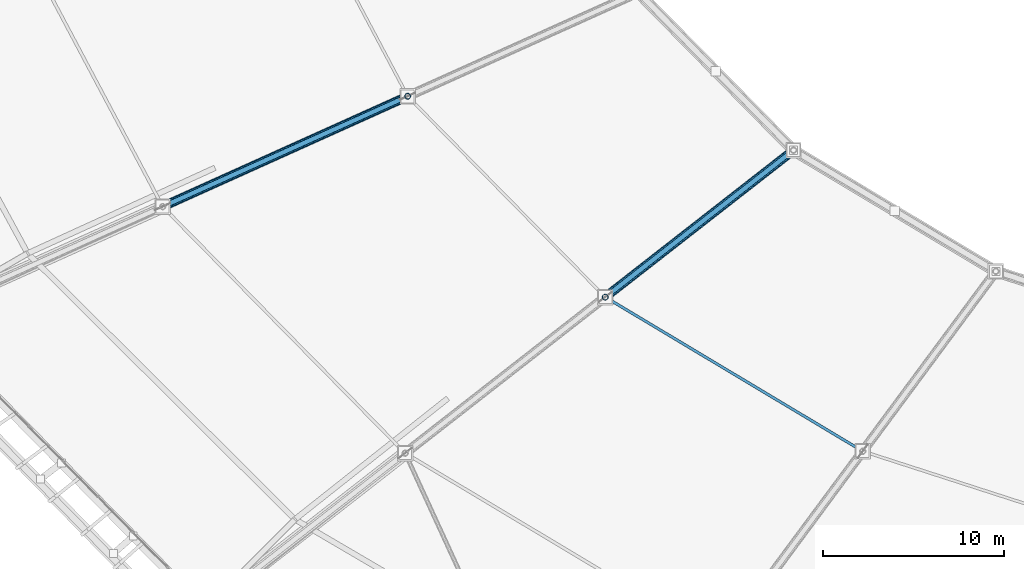
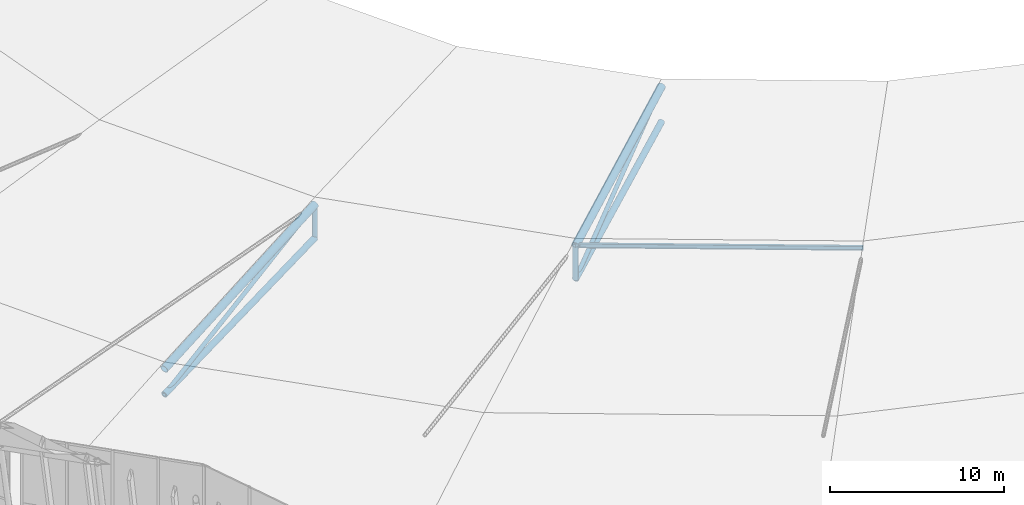
# One storey, part 10 of 115: 9 members.
"""IFC4 building model written with IfcOpenShell, lengths in metres."""

from ifc_helpers import new_model, si_unit, direction, frame, origin, origin_2d, place, context, subcontext, project, spatial, hollow_circle, i_section, extrude, material, material_profile, profile_set, type_object, element, save


model = new_model("IFC4")

# Units and contexts
model_context = context("Model", 3, precision=1e-05, world=origin(), true_north=direction((0.0, 1.0)))
body_context = subcontext(model_context, "Body", "Model", "MODEL_VIEW")
ifc_project = project(units=[si_unit("LENGTHUNIT", "METRE"), si_unit("AREAUNIT", "SQUARE_METRE"), si_unit("VOLUMEUNIT", "CUBIC_METRE"), si_unit("PLANEANGLEUNIT", "RADIAN"), si_unit("MASSUNIT", "GRAM", prefix="KILO")], contexts=[model_context])

# Site, building, storey
site_placement = place(None, origin())
site = spatial("IfcSite", under=ifc_project, at=site_placement, CompositionType="ELEMENT")
building_placement = place(site_placement, origin())
building = spatial("IfcBuilding", under=site, at=building_placement, Name="Zlatoyarsky Gate Stadium", CompositionType="ELEMENT")
storey_placement = place(building_placement, frame((0.0, 0.0, 31.800048828125)))
storey = spatial("IfcBuildingStorey", under=building, at=storey_placement, Name="RF", CompositionType="ELEMENT", Elevation=31.800048828125)

# Members
ifc_material = material(Name="Steel S355", Category="steel")
ifc_material_profile_1 = material_profile(ifc_material, hollow_circle(Radius=0.203125, WallThickness=0.02001953125, at=origin_2d()), Name="CHS 406.4X20")
ifc_profile_set_1 = profile_set([ifc_material_profile_1], Name="Steel S355")
member_type_1 = type_object("IfcMemberType", Name="STEEL ARCH INNER CHORD CHS 406.4X20", PredefinedType="CHORD", material=ifc_profile_set_1)
member_1_placement = place(storey_placement, frame((37.921875, 47.087890625, 1.349853515625), z_axis=(0.898147365371, 0.404501335329, 0.172365831283), x_axis=(-0.410647494478, 0.911794184714, 0.0)))
element("IfcMember", 1, at=member_1_placement, inside=storey, type_object=member_type_1, Name="Radial truss R15 bottom chord 2", PredefinedType="CHORD", context=body_context, shape_type="SweptSolid", body=[
    extrude(hollow_circle(Radius=0.203125, WallThickness=0.02001953125, at=origin_2d()), origin(), (0.0, 0.0, 1.0), 15.084716796875),
])
member_2_placement = place(storey_placement, frame((62.394287109375, 42.08447265625, 3.949951171875), z_axis=(0.774713357375, 0.604329101804, 0.186025671932), x_axis=(-0.615065134986, 0.788476302576, 0.0)))
element("IfcMember", 2, at=member_2_placement, inside=storey, type_object=member_type_1, Name="Radial truss R16 bottom chord 3", PredefinedType="CHORD", context=body_context, shape_type="SweptSolid", body=[
    extrude(hollow_circle(Radius=0.203125, WallThickness=0.02001953125, at=origin_2d()), origin(), (0.0, 0.0, 1.0), 13.43896484375),
])
ifc_material_profile_2 = material_profile(ifc_material, hollow_circle(Radius=0.25390625, WallThickness=0.02490234375, at=origin_2d()), Name="CHS 508X25")
ifc_profile_set_2 = profile_set([ifc_material_profile_2], Name="Steel S355")
member_type_2 = type_object("IfcMemberType", Name="STEEL ARCH TOP CHORD CHS 508X25", PredefinedType="CHORD", material=ifc_profile_set_2)
member_3_placement = place(storey_placement, frame((37.921875, 47.087890625, 3.14990234375), z_axis=(0.891969630236, 0.40171905014, 0.207393306284), x_axis=(-0.410647494478, 0.911794184714, 0.0)))
element("IfcMember", 3, at=member_3_placement, inside=storey, type_object=member_type_2, Name="Radial truss R15 top chord 2", PredefinedType="CHORD", context=body_context, shape_type="SweptSolid", body=[
    extrude(hollow_circle(Radius=0.25390625, WallThickness=0.02490234375, at=origin_2d()), origin(), (0.0, 0.0, 1.0), 15.189208984375),
])
member_4_placement = place(storey_placement, frame((62.394287109375, 42.08447265625, 6.300048828125), z_axis=(0.773062936618, 0.60304166138, 0.196759880738), x_axis=(-0.615065134986, 0.788476302576, 0.0)))
element("IfcMember", 4, at=member_4_placement, inside=storey, type_object=member_type_2, Name="Radial truss R16 top chord 3", PredefinedType="CHORD", context=body_context, shape_type="SweptSolid", body=[
    extrude(hollow_circle(Radius=0.25390625, WallThickness=0.02490234375, at=origin_2d()), origin(), (0.0, 0.0, 1.0), 13.4677734375),
])
ifc_material_profile_3 = material_profile(ifc_material, i_section(OverallWidth=0.14990234375, OverallDepth=0.300048828125, WebThickness=0.007080078125, FlangeThickness=0.0107421875, FilletRadius=0.014892578125, at=origin_2d()), Name="IPE 300")
ifc_profile_set_3 = profile_set([ifc_material_profile_3], Name="Steel S355")
member_type_3 = type_object("IfcMemberType", Name="STEEL BOWL ROOF PURLIN IPE 300", PredefinedType="PURLIN", material=ifc_profile_set_3)
member_5_placement = place(storey_placement, frame((62.394287109375, 42.08447265625, 6.329833984375), z_axis=(0.858039046715, -0.513584456844, 0.0), x_axis=(0.513584456844, 0.858039046715, 0.0)))
element("IfcMember", 5, at=member_5_placement, inside=storey, type_object=member_type_3, Name="Stadium roof purlin 15.2", PredefinedType="PURLIN", context=body_context, shape_type="SweptSolid", body=[
    extrude(i_section(OverallWidth=0.14990234375, OverallDepth=0.300048828125, WebThickness=0.007080078125, FlangeThickness=0.0107421875, FilletRadius=0.014892578125, at=origin_2d()), origin(), (0.0, 0.0, 1.0), 16.591796875),
])
ifc_material_profile_4 = material_profile(ifc_material, hollow_circle(Radius=0.136474609375, WallThickness=0.01611328125, at=origin_2d()), Name="CHS 273X16")
ifc_profile_set_4 = profile_set([ifc_material_profile_4], Name="Steel S355")
member_type_4 = type_object("IfcMemberType", Name="STEEL ROOF TRUSS DIAGONAL CHS 273X16", PredefinedType="BRACE", material=ifc_profile_set_4)
member_6_placement = place(storey_placement, frame((37.921875, 47.087890625, 1.349853515625), z_axis=(0.865052822884, 0.389596446505, 0.316066800678), x_axis=(-0.410647494478, 0.911794184714, 0.0)))
element("IfcMember", 6, at=member_6_placement, inside=storey, type_object=member_type_4, Name="Radial truss R15 web diagonal 2", PredefinedType="BRACE", context=body_context, shape_type="SweptSolid", body=[
    extrude(hollow_circle(Radius=0.136474609375, WallThickness=0.01611328125, at=origin_2d()), origin(), (0.0, 0.0, 1.0), 15.661865234375),
])
member_7_placement = place(storey_placement, frame((62.394287109375, 42.08447265625, 3.949951171875), z_axis=(0.737382070164, 0.575208159129, 0.354123221877), x_axis=(-0.615065134986, 0.788476302576, 0.0)))
element("IfcMember", 7, at=member_7_placement, inside=storey, type_object=member_type_4, Name="Radial truss R16 web diagonal 3", PredefinedType="BRACE", context=body_context, shape_type="SweptSolid", body=[
    extrude(hollow_circle(Radius=0.136474609375, WallThickness=0.01611328125, at=origin_2d()), origin(), (0.0, 0.0, 1.0), 14.119384765625),
])
ifc_material_profile_5 = material_profile(ifc_material, hollow_circle(Radius=0.161865234375, WallThickness=0.01611328125, at=origin_2d()), Name="CHS 323.9X16")
ifc_profile_set_5 = profile_set([ifc_material_profile_5], Name="Steel S355")
member_type_5 = type_object("IfcMemberType", Name="STEEL TRUSS WEB STRUT CHS 323.9X16", PredefinedType="STRUT", material=ifc_profile_set_5)
for number, where, z_axis, x_axis, name in (
    (8, (51.47021484375, 53.189697265625, 3.949951171875), (0.0, 0.0, 1.0), (1.0, 0.0, 0.0), "Radial truss R15 web strut 2"),
    (9, (62.394287109375, 42.08447265625, 3.949951171875), (0.0, 0.0, 1.0), (1.0, 0.0, 0.0), "Radial truss R16 web strut 2"),
):
    element("IfcMember", number, at=place(storey_placement, frame(where, z_axis=z_axis, x_axis=x_axis)), inside=storey, type_object=member_type_5, Name=name, PredefinedType="STRUT", context=body_context, shape_type="SweptSolid", body=[
        extrude(hollow_circle(Radius=0.161865234375, WallThickness=0.01611328125, at=origin_2d()), origin(), (0.0, 0.0, 1.0), 2.35009765625),
    ])

save(model, "model.ifc")
